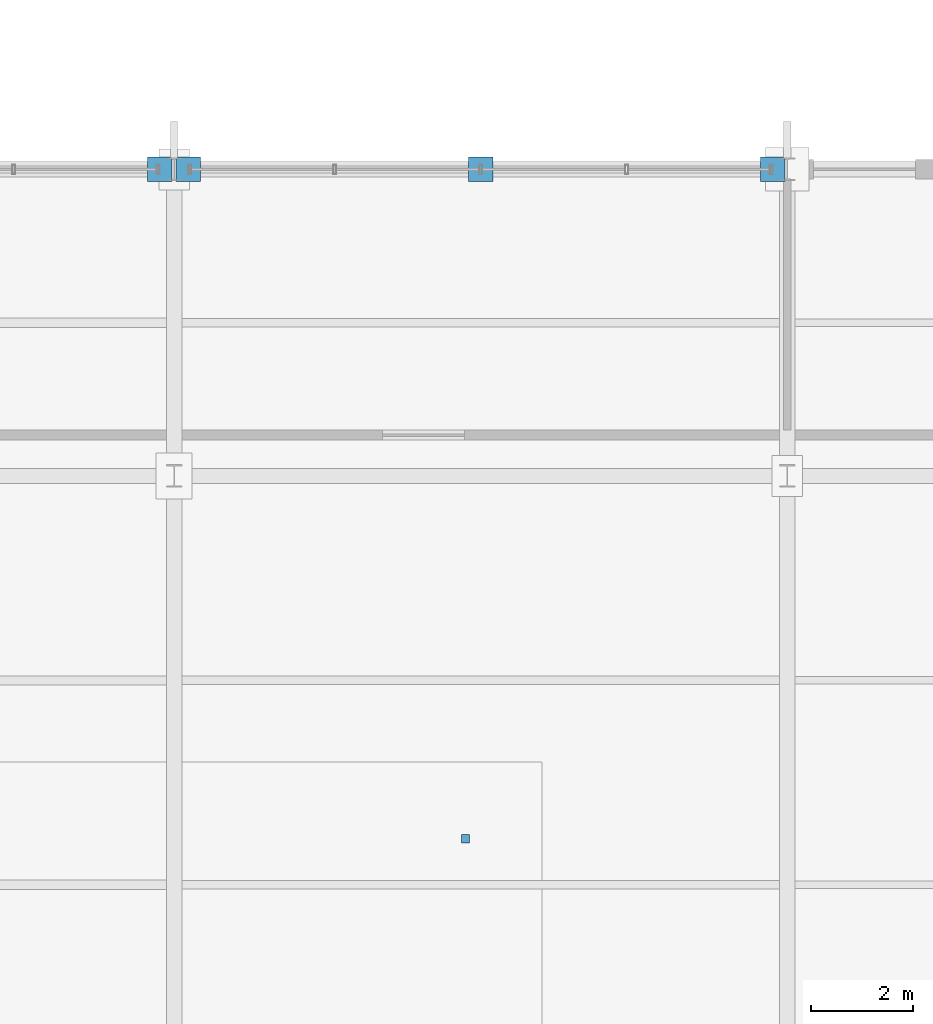
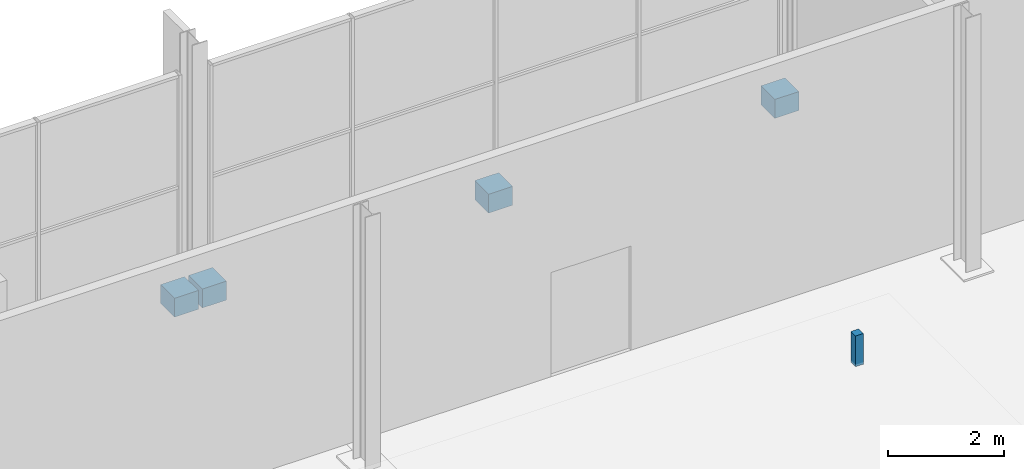
# One storey, part 185 of 196: 5 discrete accessories.
"""IFC4 building model written with IfcOpenShell, lengths in metres."""

from ifc_helpers import new_model, si_unit, direction, frame, origin, origin_2d, place, context, subcontext, project, spatial, rectangle, extrude, material, layer, layer_set, type_object, element, save


model = new_model("IFC4")

# Units and contexts
model_context = context("Model", 3, precision=1e-05, world=origin(), true_north=direction((0.0, 1.0)))
body_context = subcontext(model_context, "Body", "Model", "MODEL_VIEW")
ifc_project = project(units=[si_unit("LENGTHUNIT", "METRE"), si_unit("AREAUNIT", "SQUARE_METRE"), si_unit("VOLUMEUNIT", "CUBIC_METRE"), si_unit("PLANEANGLEUNIT", "RADIAN"), si_unit("MASSUNIT", "GRAM", prefix="KILO")], contexts=[model_context])

# Site, building, storey
site_placement = place(None, origin())
site = spatial("IfcSite", under=ifc_project, at=site_placement, CompositionType="ELEMENT")
building_placement = place(site_placement, origin())
building = spatial("IfcBuilding", under=site, at=building_placement, Name="Merenkruunu Market Hall", CompositionType="ELEMENT")
storey_placement = place(building_placement, origin())
storey = spatial("IfcBuildingStorey", under=building, at=storey_placement, Name="L00", CompositionType="ELEMENT", Elevation=0.0)

# Discrete accessories
ifc_material = material(Name="Brushed stainless steel", Category="steel")
ifc_layer = layer(ifc_material, 0.159912109375)
ifc_layer_set = layer_set([ifc_layer], Name="Brushed stainless steel")
discrete_accessory_type = type_object("IfcDiscreteAccessoryType", Name="Stainless Facade Support Bracket BRK01", PredefinedType="BRACKET", material=ifc_layer_set)
for number, where, z_axis, x_axis, name in (
    (1, (112.52001953125, 45.60009765625, -0.199951171875), (0.0, 0.0, 1.0), (1.0, 0.0, 0.0), "ACC-CWBRK-188-3"),
    (2, (113.080078125, 45.60009765625, -0.199951171875), (0.0, 0.0, 1.0), (1.0, 0.0, 0.0), "ACC-CWBRK-192-1"),
    (3, (118.800048828125, 45.60009765625, -0.199951171875), (0.0, 0.0, 1.0), (1.0, 0.0, 0.0), "ACC-CWBRK-192-2"),
    (4, (124.52001953125, 45.60009765625, -0.199951171875), (0.0, 0.0, 1.0), (1.0, 0.0, 0.0), "ACC-CWBRK-192-3"),
):
    element("IfcDiscreteAccessory", number, at=place(storey_placement, frame(where, z_axis=z_axis, x_axis=x_axis)), inside=storey, type_object=discrete_accessory_type, Name=name, PredefinedType="BRACKET", context=body_context, shape_type="SweptSolid", body=[
        extrude(rectangle(XDim=0.47998046875, YDim=0.47998046875, at=origin_2d()), origin(), (0.0, 0.0, 1.0), 0.39990234375),
    ])
discrete_accessory_placement = place(storey_placement, frame((118.5, 32.5, 4.449951171875), z_axis=(0.0, 0.0, 1.0), x_axis=(1.0, 0.0, 0.0)))
element("IfcDiscreteAccessory", 5, at=discrete_accessory_placement, inside=storey, type_object=discrete_accessory_type, Name="ACC-CLGHNG-1-2", PredefinedType="BRACKET", context=body_context, shape_type="SweptSolid", body=[
    extrude(rectangle(XDim=0.159912109375, YDim=0.159912109375, at=origin_2d()), origin(), (0.0, 0.0, 1.0), 0.64990234375),
])

save(model, "model.ifc")
